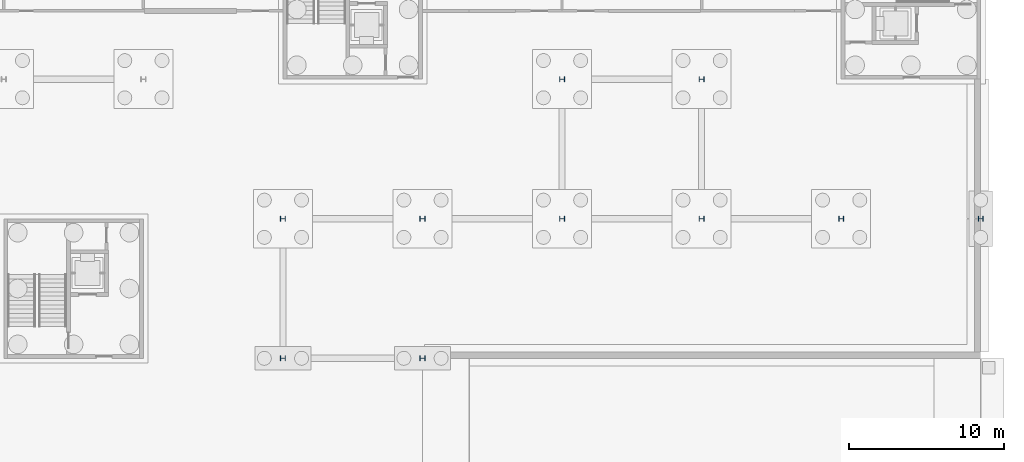
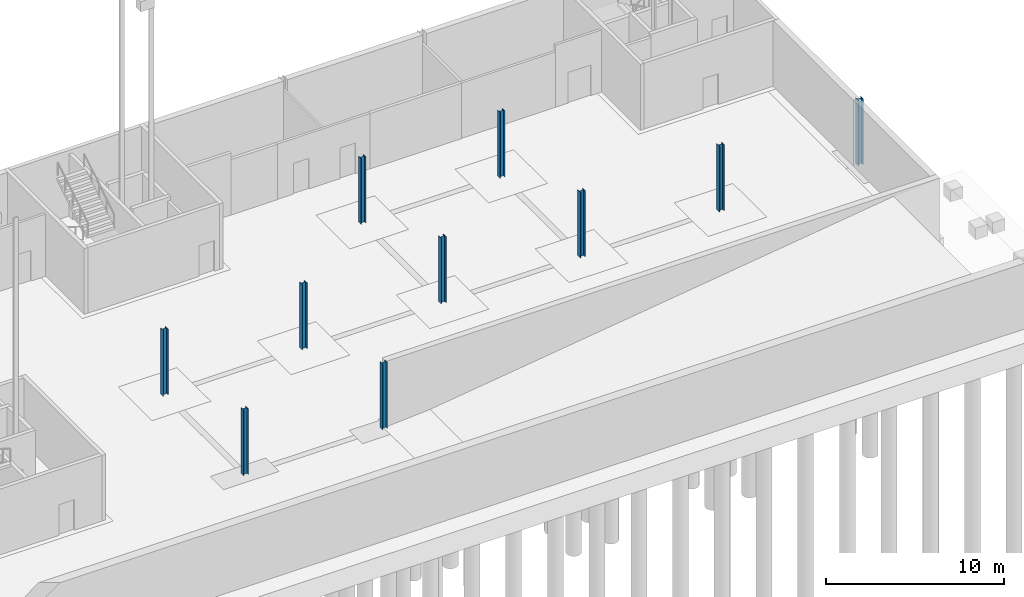
# One storey, part 9 of 41: 10 columns.
"""IFC4 building model written with IfcOpenShell, lengths in metres."""

from ifc_helpers import new_model, si_unit, direction, frame, origin, origin_2d, place, context, subcontext, project, spatial, i_section, extrude, material, material_profile, profile_set, type_object, element, save


model = new_model("IFC4")

# Units and contexts
model_context = context("Model", 3, precision=1e-05, world=origin(), true_north=direction((0.0, 1.0)))
body_context = subcontext(model_context, "Body", "Model", "MODEL_VIEW")
ifc_project = project(units=[si_unit("LENGTHUNIT", "METRE"), si_unit("AREAUNIT", "SQUARE_METRE"), si_unit("VOLUMEUNIT", "CUBIC_METRE"), si_unit("PLANEANGLEUNIT", "RADIAN"), si_unit("MASSUNIT", "GRAM", prefix="KILO")], contexts=[model_context])

# Site, building, storey
site_placement = place(None, origin())
site = spatial("IfcSite", under=ifc_project, at=site_placement, CompositionType="ELEMENT")
building_placement = place(site_placement, origin())
building = spatial("IfcBuilding", under=site, at=building_placement, Name="Corbel Yard City Hall", CompositionType="ELEMENT")
storey_placement = place(building_placement, frame((0.0, 0.0, -4.5)))
storey = spatial("IfcBuildingStorey", under=building, at=storey_placement, Name="B1", CompositionType="ELEMENT", Elevation=-4.5)

# Columns
ifc_material = material(Name="Steel Grade 300 (300 MPa yield)", Category="steel")
ifc_material_profile = material_profile(ifc_material, i_section(OverallWidth=0.31103515625, OverallDepth=0.326904296875, WebThickness=0.015625, FlangeThickness=0.02490234375, at=origin_2d()), Name="310UC158")
ifc_profile_set = profile_set([ifc_material_profile], Name="Steel Grade 300 (300 MPa yield)")
column_type = type_object("IfcColumnType", Name="Column 310UC158", PredefinedType="COLUMN", material=ifc_profile_set)
for number, where, z_axis, x_axis, name in (
    (1, (135.0, 90.0, 0.0), (0.0, 0.0, 1.0), (0.0, 1.0, 0.0), "Column 310UC158 K/16 B1"),
    (2, (135.0, 99.0, 0.0), (0.0, 0.0, 1.0), (0.0, 1.0, 0.0), "Column 310UC158 L/16 B1"),
    (3, (144.0, 90.0, 0.0), (0.0, 0.0, 1.0), (0.0, 1.0, 0.0), "Column 310UC158 K/17 B1"),
    (4, (144.0, 99.0, 0.0), (0.0, 0.0, 1.0), (0.0, 1.0, 0.0), "Column 310UC158 L/17 B1"),
    (5, (153.0, 99.0, 0.0), (0.0, 0.0, 1.0), (0.0, 1.0, 0.0), "Column 310UC158 L/18 B1"),
    (6, (153.0, 108.0, 0.0), (0.0, 0.0, 1.0), (0.0, 1.0, 0.0), "Column 310UC158 M/18 B1"),
    (7, (162.0, 99.0, 0.0), (0.0, 0.0, 1.0), (0.0, 1.0, 0.0), "Column 310UC158 L/19 B1"),
    (8, (162.0, 108.0, 0.0), (0.0, 0.0, 1.0), (0.0, 1.0, 0.0), "Column 310UC158 M/19 B1"),
    (9, (171.0, 99.0, 0.0), (0.0, 0.0, 1.0), (0.0, 1.0, 0.0), "Column 310UC158 L/20 B1"),
    (10, (180.0, 99.0, 0.0), (0.0, 0.0, 1.0), (0.0, 1.0, 0.0), "Column 310UC158 L/21 B1"),
):
    element("IfcColumn", number, at=place(storey_placement, frame(where, z_axis=z_axis, x_axis=x_axis)), inside=storey, type_object=column_type, Name=name, PredefinedType="COLUMN", context=body_context, shape_type="SweptSolid", body=[
        extrude(i_section(OverallWidth=0.31103515625, OverallDepth=0.326904296875, WebThickness=0.015625, FlangeThickness=0.02490234375, at=origin_2d()), origin(), (0.0, 0.0, 1.0), 4.5),
    ])

save(model, "model.ifc")
